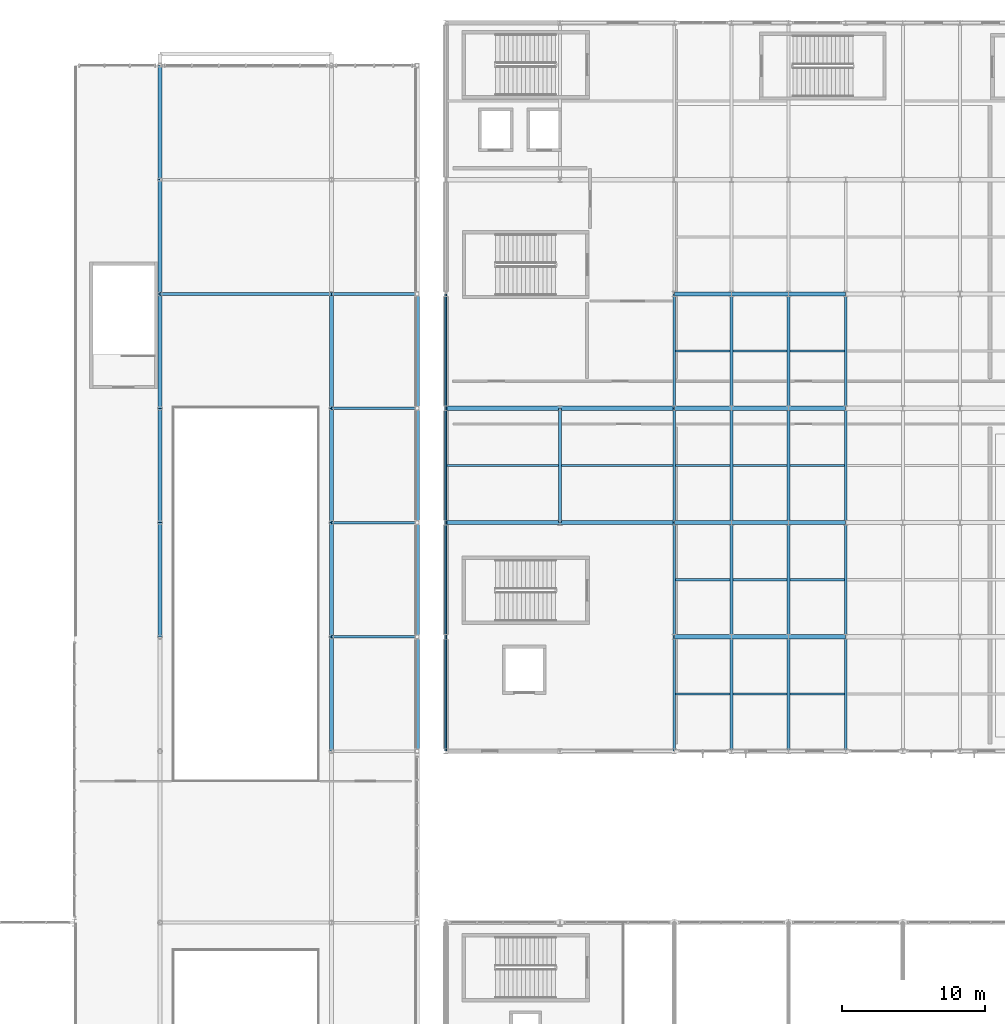
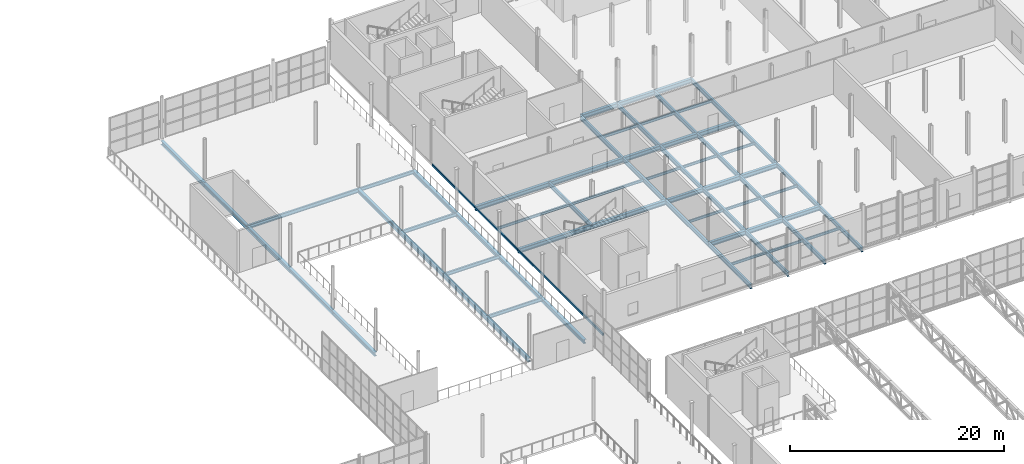
# One storey, part 70 of 143: 69 beams.
"""IFC4 building model written with IfcOpenShell, lengths in metres."""

from ifc_helpers import new_model, si_unit, derived_unit, direction, frame, origin, origin_2d, place, context, subcontext, project, spatial, hollow_rectangle, i_section, extrude, material, material_profile, profile_set, type_object, element, save


model = new_model("IFC4")

# Units and contexts
model_context = context("Model", 3, precision=1e-05, world=origin(), true_north=direction((0.0, 1.0)))
body_context = subcontext(model_context, "Body", "Model", "MODEL_VIEW")
ifc_project = project(units=[si_unit("LENGTHUNIT", "METRE"), si_unit("AREAUNIT", "SQUARE_METRE"), si_unit("VOLUMEUNIT", "CUBIC_METRE"), si_unit("PLANEANGLEUNIT", "RADIAN"), si_unit("MASSUNIT", "GRAM", prefix="KILO"), derived_unit("THERMALTRANSMITTANCEUNIT", [(si_unit("POWERUNIT", "WATT"), 1), (si_unit("LENGTHUNIT", "METRE"), -2), (si_unit("THERMODYNAMICTEMPERATUREUNIT", "KELVIN"), -1)])], contexts=[model_context])

# Site, building, storey
site_placement = place(None, origin())
site = spatial("IfcSite", under=ifc_project, at=site_placement, CompositionType="ELEMENT")
building_placement = place(site_placement, origin())
building = spatial("IfcBuilding", under=site, at=building_placement, Name="Keldorne Ridge Multi-Sports Centre", CompositionType="ELEMENT")
storey_placement = place(building_placement, frame((0.0, 0.0, 4.800048828125)))
storey = spatial("IfcBuildingStorey", under=building, at=storey_placement, Name="L01", CompositionType="ELEMENT", Elevation=4.800048828125)

# Beams
ifc_material = material(Name="Steel S355", Category="steel")
ifc_material_profile_1 = material_profile(ifc_material, i_section(OverallWidth=0.199951171875, OverallDepth=0.5, WebThickness=0.01025390625, FlangeThickness=0.01611328125, FilletRadius=0.02099609375, at=origin_2d()), Name="IPE 500")
ifc_profile_set_1 = profile_set([ifc_material_profile_1], Name="Steel S355")
beam_type_1 = type_object("IfcBeamType", Name="BM-B-02", PredefinedType="BEAM", material=ifc_profile_set_1)
for number, where, z_axis, x_axis, name in (
    (1, (112.0, 82.0, -0.469970703125), (0.0, 1.0, 0.0), (-1.0, 0.0, 0.0), "L01 primary girder 112.3"),
    (2, (120.0, 66.0, -0.469970703125), (0.0, 1.0, 0.0), (-1.0, 0.0, 0.0), "L01 primary girder 120.1"),
    (3, (120.0, 74.0, -0.469970703125), (0.0, 1.0, 0.0), (-1.0, 0.0, 0.0), "L01 primary girder 120.2"),
    (4, (120.0, 82.0, -0.469970703125), (0.0, 1.0, 0.0), (-1.0, 0.0, 0.0), "L01 primary girder 120.3"),
    (5, (120.0, 90.0, -0.469970703125), (0.0, 1.0, 0.0), (-1.0, 0.0, 0.0), "L01 primary girder 120.4"),
    (6, (124.0, 66.0, -0.469970703125), (0.0, 1.0, 0.0), (-1.0, 0.0, 0.0), "L01 primary girder 124.1"),
    (7, (124.0, 74.0, -0.469970703125), (0.0, 1.0, 0.0), (-1.0, 0.0, 0.0), "L01 primary girder 124.2"),
    (8, (124.0, 82.0, -0.469970703125), (0.0, 1.0, 0.0), (-1.0, 0.0, 0.0), "L01 primary girder 124.3"),
    (9, (124.0, 90.0, -0.469970703125), (0.0, 1.0, 0.0), (-1.0, 0.0, 0.0), "L01 primary girder 124.4"),
    (10, (128.0, 66.0, -0.469970703125), (0.0, 1.0, 0.0), (-1.0, 0.0, 0.0), "L01 primary girder 128.1"),
    (11, (128.0, 74.0, -0.469970703125), (0.0, 1.0, 0.0), (-1.0, 0.0, 0.0), "L01 primary girder 128.2"),
    (12, (128.0, 82.0, -0.469970703125), (0.0, 1.0, 0.0), (-1.0, 0.0, 0.0), "L01 primary girder 128.3"),
    (13, (128.0, 90.0, -0.469970703125), (0.0, 1.0, 0.0), (-1.0, 0.0, 0.0), "L01 primary girder 128.4"),
    (14, (132.0, 66.0, -0.469970703125), (0.0, 1.0, 0.0), (-1.0, 0.0, 0.0), "L01 primary girder 132.1"),
    (15, (132.0, 74.0, -0.469970703125), (0.0, 1.0, 0.0), (-1.0, 0.0, 0.0), "L01 primary girder 132.2"),
    (16, (132.0, 82.0, -0.469970703125), (0.0, 1.0, 0.0), (-1.0, 0.0, 0.0), "L01 primary girder 132.3"),
    (17, (132.0, 90.0, -0.469970703125), (0.0, 1.0, 0.0), (-1.0, 0.0, 0.0), "L01 primary girder 132.4"),
):
    element("IfcBeam", number, at=place(storey_placement, frame(where, z_axis=z_axis, x_axis=x_axis)), inside=storey, type_object=beam_type_1, Name=name, PredefinedType="BEAM", context=body_context, shape_type="SweptSolid", body=[
        extrude(i_section(OverallWidth=0.199951171875, OverallDepth=0.5, WebThickness=0.01025390625, FlangeThickness=0.01611328125, FilletRadius=0.02099609375, at=origin_2d()), origin(), (0.0, 0.0, 1.0), 8.0),
    ])
ifc_material_profile_2 = material_profile(ifc_material, i_section(OverallWidth=0.18994140625, OverallDepth=0.449951171875, WebThickness=0.009521484375, FlangeThickness=0.0146484375, FilletRadius=0.02099609375, at=origin_2d()), Name="IPE 450")
ifc_profile_set_2 = profile_set([ifc_material_profile_2], Name="Steel S355")
beam_type_2 = type_object("IfcBeamType", Name="BM-B-03", PredefinedType="BEAM", material=ifc_profile_set_2)
beam_1_placement = place(storey_placement, frame((84.0, 98.0, -0.445068359375), z_axis=(1.0, 0.0, 0.0), x_axis=(0.0, 1.0, 0.0)))
element("IfcBeam", 18, at=beam_1_placement, inside=storey, type_object=beam_type_2, Name="L01 bridge cross beam 12", PredefinedType="BEAM", context=body_context, shape_type="SweptSolid", body=[
    extrude(i_section(OverallWidth=0.18994140625, OverallDepth=0.449951171875, WebThickness=0.009521484375, FlangeThickness=0.0146484375, FilletRadius=0.02099609375, at=origin_2d()), origin(), (0.0, 0.0, 1.0), 12.0),
])
ifc_material_profile_3 = material_profile(ifc_material, i_section(OverallWidth=0.179931640625, OverallDepth=0.39990234375, WebThickness=0.008544921875, FlangeThickness=0.013427734375, FilletRadius=0.02099609375, at=origin_2d()), Name="IPE 400")
ifc_profile_set_3 = profile_set([ifc_material_profile_3], Name="Steel S355")
beam_type_3 = type_object("IfcBeamType", Name="BM-B-04", PredefinedType="BEAM", material=ifc_profile_set_3)
for number, where, z_axis, x_axis, name in (
    (19, (96.0, 74.0, -0.420166015625), (1.0, 0.0, 0.0), (0.0, 1.0, 0.0), "L01 east gallery beam 9"),
    (20, (96.0, 82.0, -0.420166015625), (1.0, 0.0, 0.0), (0.0, 1.0, 0.0), "L01 east gallery beam 10"),
    (21, (96.0, 90.0, -0.420166015625), (1.0, 0.0, 0.0), (0.0, 1.0, 0.0), "L01 east gallery beam 11"),
    (22, (96.0, 98.0, -0.420166015625), (1.0, 0.0, 0.0), (0.0, 1.0, 0.0), "L01 east gallery beam 12"),
):
    element("IfcBeam", number, at=place(storey_placement, frame(where, z_axis=z_axis, x_axis=x_axis)), inside=storey, type_object=beam_type_3, Name=name, PredefinedType="BEAM", context=body_context, shape_type="SweptSolid", body=[
        extrude(i_section(OverallWidth=0.179931640625, OverallDepth=0.39990234375, WebThickness=0.008544921875, FlangeThickness=0.013427734375, FilletRadius=0.02099609375, at=origin_2d()), origin(), (0.0, 0.0, 1.0), 6.0),
    ])
ifc_material_profile_4 = material_profile(ifc_material, i_section(OverallWidth=0.300048828125, OverallDepth=0.489990234375, WebThickness=0.011962890625, FlangeThickness=0.02294921875, FilletRadius=0.027099609375, at=origin_2d()), Name="HEA 500")
ifc_profile_set_4 = profile_set([ifc_material_profile_4], Name="Steel S355")
beam_type_4 = type_object("IfcBeamType", Name="BM-B-08", PredefinedType="BEAM", material=ifc_profile_set_4)
for number, where, z_axis, x_axis, name in (
    (23, (120.0, 74.0, -0.465087890625), (1.0, 0.0, 0.0), (0.0, 1.0, 0.0), "L01 primary beam 3.74"),
    (24, (124.0, 74.0, -0.465087890625), (1.0, 0.0, 0.0), (0.0, 1.0, 0.0), "L01 primary beam 4.74"),
    (25, (128.0, 74.0, -0.465087890625), (1.0, 0.0, 0.0), (0.0, 1.0, 0.0), "L01 primary beam 5.74"),
):
    element("IfcBeam", number, at=place(storey_placement, frame(where, z_axis=z_axis, x_axis=x_axis)), inside=storey, type_object=beam_type_4, Name=name, PredefinedType="BEAM", context=body_context, shape_type="SweptSolid", body=[
        extrude(i_section(OverallWidth=0.300048828125, OverallDepth=0.489990234375, WebThickness=0.011962890625, FlangeThickness=0.02294921875, FilletRadius=0.027099609375, at=origin_2d()), origin(), (0.0, 0.0, 1.0), 4.0),
    ])
for number, where, z_axis, x_axis, name in (
    (26, (104.0, 82.0, -0.465087890625), (1.0, 0.0, 0.0), (0.0, 1.0, 0.0), "L01 primary beam 1.82"),
    (27, (112.0, 82.0, -0.465087890625), (1.0, 0.0, 0.0), (0.0, 1.0, 0.0), "L01 primary beam 2.82"),
):
    element("IfcBeam", number, at=place(storey_placement, frame(where, z_axis=z_axis, x_axis=x_axis)), inside=storey, type_object=beam_type_4, Name=name, PredefinedType="BEAM", context=body_context, shape_type="SweptSolid", body=[
        extrude(i_section(OverallWidth=0.300048828125, OverallDepth=0.489990234375, WebThickness=0.011962890625, FlangeThickness=0.02294921875, FilletRadius=0.027099609375, at=origin_2d()), origin(), (0.0, 0.0, 1.0), 8.0),
    ])
for number, where, z_axis, x_axis, name in (
    (28, (120.0, 82.0, -0.465087890625), (1.0, 0.0, 0.0), (0.0, 1.0, 0.0), "L01 primary beam 3.82"),
    (29, (124.0, 82.0, -0.465087890625), (1.0, 0.0, 0.0), (0.0, 1.0, 0.0), "L01 primary beam 4.82"),
    (30, (128.0, 82.0, -0.465087890625), (1.0, 0.0, 0.0), (0.0, 1.0, 0.0), "L01 primary beam 5.82"),
):
    element("IfcBeam", number, at=place(storey_placement, frame(where, z_axis=z_axis, x_axis=x_axis)), inside=storey, type_object=beam_type_4, Name=name, PredefinedType="BEAM", context=body_context, shape_type="SweptSolid", body=[
        extrude(i_section(OverallWidth=0.300048828125, OverallDepth=0.489990234375, WebThickness=0.011962890625, FlangeThickness=0.02294921875, FilletRadius=0.027099609375, at=origin_2d()), origin(), (0.0, 0.0, 1.0), 4.0),
    ])
for number, where, z_axis, x_axis, name in (
    (31, (104.0, 90.0, -0.465087890625), (1.0, 0.0, 0.0), (0.0, 1.0, 0.0), "L01 primary beam 1.90"),
    (32, (112.0, 90.0, -0.465087890625), (1.0, 0.0, 0.0), (0.0, 1.0, 0.0), "L01 primary beam 2.90"),
):
    element("IfcBeam", number, at=place(storey_placement, frame(where, z_axis=z_axis, x_axis=x_axis)), inside=storey, type_object=beam_type_4, Name=name, PredefinedType="BEAM", context=body_context, shape_type="SweptSolid", body=[
        extrude(i_section(OverallWidth=0.300048828125, OverallDepth=0.489990234375, WebThickness=0.011962890625, FlangeThickness=0.02294921875, FilletRadius=0.027099609375, at=origin_2d()), origin(), (0.0, 0.0, 1.0), 8.0),
    ])
for number, where, z_axis, x_axis, name in (
    (33, (120.0, 90.0, -0.465087890625), (1.0, 0.0, 0.0), (0.0, 1.0, 0.0), "L01 primary beam 3.90"),
    (34, (124.0, 90.0, -0.465087890625), (1.0, 0.0, 0.0), (0.0, 1.0, 0.0), "L01 primary beam 4.90"),
    (35, (128.0, 90.0, -0.465087890625), (1.0, 0.0, 0.0), (0.0, 1.0, 0.0), "L01 primary beam 5.90"),
    (36, (120.0, 98.0, -0.465087890625), (1.0, 0.0, 0.0), (0.0, 1.0, 0.0), "L01 primary beam 3.98"),
    (37, (124.0, 98.0, -0.465087890625), (1.0, 0.0, 0.0), (0.0, 1.0, 0.0), "L01 primary beam 4.98"),
    (38, (128.0, 98.0, -0.465087890625), (1.0, 0.0, 0.0), (0.0, 1.0, 0.0), "L01 primary beam 5.98"),
):
    element("IfcBeam", number, at=place(storey_placement, frame(where, z_axis=z_axis, x_axis=x_axis)), inside=storey, type_object=beam_type_4, Name=name, PredefinedType="BEAM", context=body_context, shape_type="SweptSolid", body=[
        extrude(i_section(OverallWidth=0.300048828125, OverallDepth=0.489990234375, WebThickness=0.011962890625, FlangeThickness=0.02294921875, FilletRadius=0.027099609375, at=origin_2d()), origin(), (0.0, 0.0, 1.0), 4.0),
    ])
ifc_material_profile_5 = material_profile(ifc_material, i_section(OverallWidth=0.300048828125, OverallDepth=0.449951171875, WebThickness=0.013916015625, FlangeThickness=0.02587890625, FilletRadius=0.027099609375, at=origin_2d()), Name="HEB 450")
ifc_profile_set_5 = profile_set([ifc_material_profile_5], Name="Steel S355")
beam_type_5 = type_object("IfcBeamType", Name="BM-B-11", PredefinedType="BEAM", material=ifc_profile_set_5)
for number, where, z_axis, x_axis, name in (
    (39, (96.0, 66.0, -0.445068359375), (0.0, 1.0, 0.0), (-1.0, 0.0, 0.0), "L01 passage girder G14.8"),
    (40, (102.0, 66.0, -0.445068359375), (0.0, 1.0, 0.0), (-1.0, 0.0, 0.0), "L01 passage girder G15.8"),
    (41, (84.0, 74.0, -0.445068359375), (0.0, 1.0, 0.0), (-1.0, 0.0, 0.0), "L01 passage girder G12.9"),
    (42, (96.0, 74.0, -0.445068359375), (0.0, 1.0, 0.0), (-1.0, 0.0, 0.0), "L01 passage girder G14.9"),
    (43, (102.0, 74.0, -0.445068359375), (0.0, 1.0, 0.0), (-1.0, 0.0, 0.0), "L01 passage girder G15.9"),
    (44, (84.0, 82.0, -0.445068359375), (0.0, 1.0, 0.0), (-1.0, 0.0, 0.0), "L01 passage girder G12.10"),
    (45, (96.0, 82.0, -0.445068359375), (0.0, 1.0, 0.0), (-1.0, 0.0, 0.0), "L01 passage girder G14.10"),
    (46, (102.0, 82.0, -0.445068359375), (0.0, 1.0, 0.0), (-1.0, 0.0, 0.0), "L01 passage girder G15.10"),
    (47, (84.0, 90.0, -0.445068359375), (0.0, 1.0, 0.0), (-1.0, 0.0, 0.0), "L01 passage girder G12.11"),
    (48, (96.0, 90.0, -0.445068359375), (0.0, 1.0, 0.0), (-1.0, 0.0, 0.0), "L01 passage girder G14.11"),
    (49, (102.0, 90.0, -0.445068359375), (0.0, 1.0, 0.0), (-1.0, 0.0, 0.0), "L01 passage girder G15.11"),
    (50, (84.0, 98.0, -0.445068359375), (0.0, 1.0, 0.0), (-1.0, 0.0, 0.0), "L01 passage girder G12.12"),
    (51, (84.0, 106.0, -0.445068359375), (0.0, 1.0, 0.0), (-1.0, 0.0, 0.0), "L01 passage girder G12.13"),
):
    element("IfcBeam", number, at=place(storey_placement, frame(where, z_axis=z_axis, x_axis=x_axis)), inside=storey, type_object=beam_type_5, Name=name, PredefinedType="BEAM", context=body_context, shape_type="SweptSolid", body=[
        extrude(i_section(OverallWidth=0.300048828125, OverallDepth=0.449951171875, WebThickness=0.013916015625, FlangeThickness=0.02587890625, FilletRadius=0.027099609375, at=origin_2d()), origin(), (0.0, 0.0, 1.0), 8.0),
    ])
ifc_material_profile_6 = material_profile(ifc_material, i_section(OverallWidth=0.14990234375, OverallDepth=0.300048828125, WebThickness=0.007080078125, FlangeThickness=0.0107421875, FilletRadius=0.014892578125, at=origin_2d()), Name="IPE 300")
ifc_profile_set_6 = profile_set([ifc_material_profile_6], Name="Steel S355")
beam_type_6 = type_object("IfcBeamType", Name="BM-J-02", PredefinedType="JOIST", material=ifc_profile_set_6)
beam_2_placement = place(storey_placement, frame((104.074951171875, 86.0, -0.3701171875), z_axis=(1.0, 0.0, 0.0), x_axis=(0.0, 1.0, 0.0)))
element("IfcBeam", 52, at=beam_2_placement, inside=storey, type_object=beam_type_6, Name="L01 secondary joist 1.3", PredefinedType="JOIST", context=body_context, shape_type="SweptSolid", body=[
    extrude(i_section(OverallWidth=0.14990234375, OverallDepth=0.300048828125, WebThickness=0.007080078125, FlangeThickness=0.0107421875, FilletRadius=0.014892578125, at=origin_2d()), origin(), (0.0, 0.0, 1.0), 7.824951171875),
])
beam_3_placement = place(storey_placement, frame((112.10009765625, 86.0, -0.3701171875), z_axis=(1.0, 0.0, 0.0), x_axis=(0.0, 1.0, 0.0)))
element("IfcBeam", 53, at=beam_3_placement, inside=storey, type_object=beam_type_6, Name="L01 secondary joist 2.3", PredefinedType="JOIST", context=body_context, shape_type="SweptSolid", body=[
    extrude(i_section(OverallWidth=0.14990234375, OverallDepth=0.300048828125, WebThickness=0.007080078125, FlangeThickness=0.0107421875, FilletRadius=0.014892578125, at=origin_2d()), origin(), (0.0, 0.0, 1.0), 7.7998046875),
])
for number, where, z_axis, x_axis, name in (
    (54, (120.10009765625, 70.0, -0.3701171875), (1.0, 0.0, 0.0), (0.0, 1.0, 0.0), "L01 secondary joist 3.1"),
    (55, (120.10009765625, 78.0, -0.3701171875), (1.0, 0.0, 0.0), (0.0, 1.0, 0.0), "L01 secondary joist 3.2"),
    (56, (120.10009765625, 86.0, -0.3701171875), (1.0, 0.0, 0.0), (0.0, 1.0, 0.0), "L01 secondary joist 3.3"),
    (57, (120.10009765625, 94.0, -0.3701171875), (1.0, 0.0, 0.0), (0.0, 1.0, 0.0), "L01 secondary joist 3.4"),
    (58, (124.10009765625, 70.0, -0.3701171875), (1.0, 0.0, 0.0), (0.0, 1.0, 0.0), "L01 secondary joist 4.1"),
    (59, (124.10009765625, 78.0, -0.3701171875), (1.0, 0.0, 0.0), (0.0, 1.0, 0.0), "L01 secondary joist 4.2"),
    (60, (124.10009765625, 86.0, -0.3701171875), (1.0, 0.0, 0.0), (0.0, 1.0, 0.0), "L01 secondary joist 4.3"),
    (61, (124.10009765625, 94.0, -0.3701171875), (1.0, 0.0, 0.0), (0.0, 1.0, 0.0), "L01 secondary joist 4.4"),
    (62, (128.10009765625, 70.0, -0.3701171875), (1.0, 0.0, 0.0), (0.0, 1.0, 0.0), "L01 secondary joist 5.1"),
    (63, (128.10009765625, 78.0, -0.3701171875), (1.0, 0.0, 0.0), (0.0, 1.0, 0.0), "L01 secondary joist 5.2"),
    (64, (128.10009765625, 86.0, -0.3701171875), (1.0, 0.0, 0.0), (0.0, 1.0, 0.0), "L01 secondary joist 5.3"),
    (65, (128.10009765625, 94.0, -0.3701171875), (1.0, 0.0, 0.0), (0.0, 1.0, 0.0), "L01 secondary joist 5.4"),
):
    element("IfcBeam", number, at=place(storey_placement, frame(where, z_axis=z_axis, x_axis=x_axis)), inside=storey, type_object=beam_type_6, Name=name, PredefinedType="JOIST", context=body_context, shape_type="SweptSolid", body=[
        extrude(i_section(OverallWidth=0.14990234375, OverallDepth=0.300048828125, WebThickness=0.007080078125, FlangeThickness=0.0107421875, FilletRadius=0.014892578125, at=origin_2d()), origin(), (0.0, 0.0, 1.0), 3.7998046875),
    ])
ifc_material_profile_7 = material_profile(ifc_material, hollow_rectangle(XDim=0.14990234375, YDim=0.25, WallThickness=0.010009765625, InnerFilletRadius=0.010009765625, OuterFilletRadius=0.02001953125, at=origin_2d()), Name="RHS 250x150x10")
ifc_profile_set_7 = profile_set([ifc_material_profile_7], Name="Steel S355")
beam_type_7 = type_object("IfcBeamType", Name="BM-SP-02", PredefinedType="SPANDREL", material=ifc_profile_set_7)
for number, where, z_axis, x_axis, name in (
    (66, (104.0, 66.0, -0.344970703125), (0.0, 1.0, 0.0), (-1.0, 0.0, 0.0), "L01 primary girder 104.1"),
    (67, (104.0, 74.0, -0.344970703125), (0.0, 1.0, 0.0), (-1.0, 0.0, 0.0), "L01 primary girder 104.2"),
    (68, (104.0, 82.0, -0.344970703125), (0.0, 1.0, 0.0), (-1.0, 0.0, 0.0), "L01 primary girder 104.3"),
    (69, (104.0, 90.0, -0.344970703125), (0.0, 1.0, 0.0), (-1.0, 0.0, 0.0), "L01 primary girder 104.4"),
):
    element("IfcBeam", number, at=place(storey_placement, frame(where, z_axis=z_axis, x_axis=x_axis)), inside=storey, type_object=beam_type_7, Name=name, PredefinedType="SPANDREL", context=body_context, shape_type="SweptSolid", body=[
        extrude(hollow_rectangle(XDim=0.14990234375, YDim=0.25, WallThickness=0.010009765625, InnerFilletRadius=0.010009765625, OuterFilletRadius=0.02001953125, at=origin_2d()), origin(), (0.0, 0.0, 1.0), 8.0),
    ])

save(model, "model.ifc")
